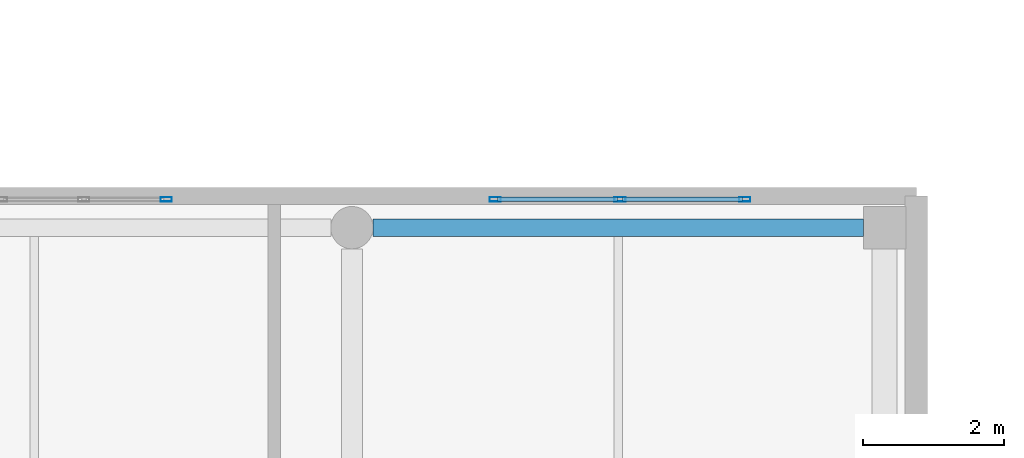
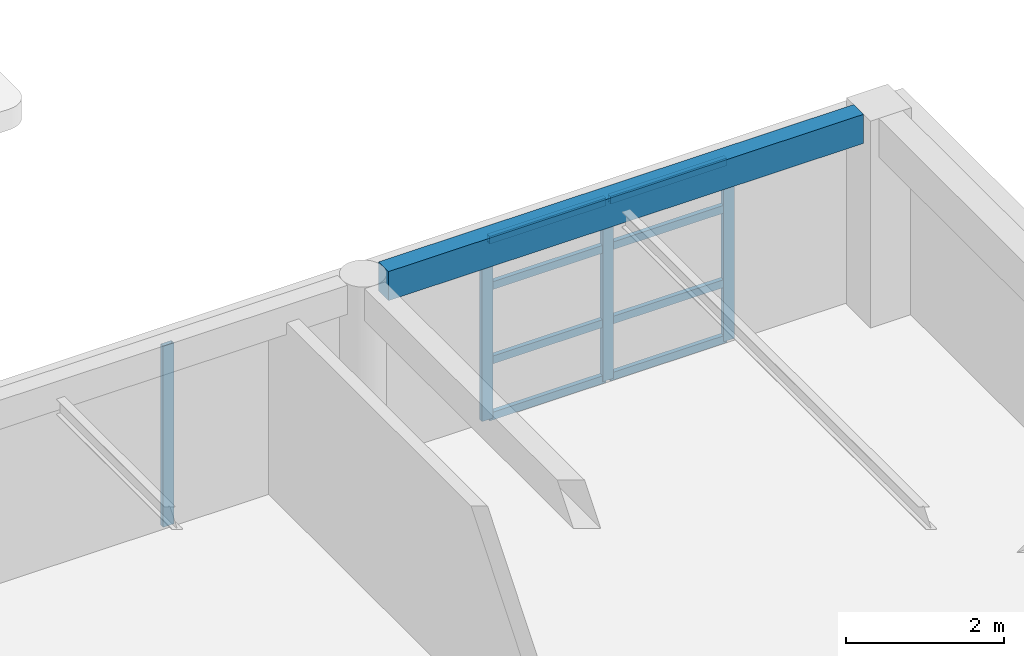
# One storey, part 63 of 128: 12 members, 1 beam, 2 elements without a shape of their own.
"""IFC4 building model written with IfcOpenShell, lengths in metres."""

from ifc_helpers import new_model, si_unit, direction, frame, origin, origin_2d, place, context, subcontext, project, spatial, rectangle, hollow_rectangle, extrude, material, layer, layer_set, material_profile, profile_set, type_object, element, aggregate, save


model = new_model("IFC4")

# Units and contexts
model_context = context("Model", 3, precision=1e-05, world=origin(), true_north=direction((0.0, 1.0)))
body_context = subcontext(model_context, "Body", "Model", "MODEL_VIEW")
ifc_project = project(units=[si_unit("LENGTHUNIT", "METRE"), si_unit("AREAUNIT", "SQUARE_METRE"), si_unit("VOLUMEUNIT", "CUBIC_METRE"), si_unit("PLANEANGLEUNIT", "RADIAN"), si_unit("MASSUNIT", "GRAM", prefix="KILO")], contexts=[model_context])

# Site, building, storey
site_placement = place(None, origin())
site = spatial("IfcSite", under=ifc_project, at=site_placement, CompositionType="ELEMENT")
building_placement = place(site_placement, origin())
building = spatial("IfcBuilding", under=site, at=building_placement, Name="Keldmere Railside Commons", CompositionType="ELEMENT")
storey_placement = place(building_placement, frame((0.0, 0.0, 4.159912109375)))
storey = spatial("IfcBuildingStorey", under=building, at=storey_placement, Name="L01", CompositionType="ELEMENT", Elevation=4.159912109375)

# Beam
ifc_material_1 = material(Name="Architectural Precast Concrete H-35 (C35/45)", Category="concrete")
ifc_material_profile_1 = material_profile(ifc_material_1, rectangle(XDim=0.25, YDim=0.449951171875, at=origin_2d()), Name="RC-250x450")
ifc_profile_set_1 = profile_set([ifc_material_profile_1], Name="Architectural Precast Concrete H-35 (C35/45)")
beam_type = type_object("IfcBeamType", Name="Perimeter Precast Spandrel Beam 250x450", PredefinedType="SPANDREL", material=ifc_profile_set_1)
beam_placement = place(storey_placement, frame((168.300048828125, 39.550048828125, 2.97509765625), z_axis=(1.0, 0.0, 0.0), x_axis=(0.0, 1.0, 0.0)))
element("IfcBeam", 1, at=beam_placement, inside=storey, type_object=beam_type, Name="SPB-1 BM-L01-0778", PredefinedType="SPANDREL", context=body_context, shape_type="SweptSolid", body=[
    extrude(rectangle(XDim=0.25, YDim=0.449951171875, at=origin_2d()), origin(), (0.0, 0.0, 1.0), 6.949951171875),
])

# Curtain wall, member
ifc_material_2 = material(Name="Thermally Broken Aluminium", Category="aluminium")
ifc_layer_1 = layer(ifc_material_2, 0.159912109375, Name="Stair Tower Daylit Strip CW 2400x2850")
ifc_layer_set_1 = layer_set([ifc_layer_1], Name="Thermally Broken Aluminium")
curtain_wall_type_1 = type_object("IfcCurtainWallType", Name="Stair Tower Daylit Strip CW 2400x2850", PredefinedType="NOTDEFINED", material=ifc_layer_set_1)
curtain_wall_1_placement = place(storey_placement, origin())
curtain_wall_1 = element("IfcCurtainWall", 2, at=curtain_wall_1_placement, inside=storey, type_object=curtain_wall_type_1, Name="CW-18 CW-L01-222", PredefinedType="NOTDEFINED")
ifc_material_profile_2 = material_profile(ifc_material_2, hollow_rectangle(XDim=0.06494140625, YDim=0.159912109375, WallThickness=0.00390625, at=origin_2d()), Name="ALU-MULL-65x160")
ifc_profile_set_2 = profile_set([ifc_material_profile_2], Name="Thermally Broken Aluminium")
member_type_1 = type_object("IfcMemberType", Name="Unitised Curtain Wall Mullion 65x160", PredefinedType="MULLION", material=ifc_profile_set_2)
member_1_placement = place(storey_placement, frame((165.367431640625, 39.949951171875, 0.0), z_axis=(0.0, 0.0, 1.0), x_axis=(0.0, 1.0, 0.0)))
member_1 = element("IfcMember", 3, at=member_1_placement, type_object=member_type_1, Name="CW-18 mullion 3", PredefinedType="MULLION", context=body_context, shape_type="SweptSolid", body=[
    extrude(hollow_rectangle(XDim=0.06494140625, YDim=0.159912109375, WallThickness=0.00390625, at=origin_2d()), origin(), (0.0, 0.0, 1.0), 2.800048828125),
])
aggregate(curtain_wall_1, [member_1])

# Curtain wall, members
ifc_layer_2 = layer(ifc_material_2, 0.159912109375, Name="Market Arcade Upper Gallery CW 3600x2800")
ifc_layer_set_2 = layer_set([ifc_layer_2], Name="Thermally Broken Aluminium")
curtain_wall_type_2 = type_object("IfcCurtainWallType", Name="Market Arcade Upper Gallery CW 3600x2800", PredefinedType="NOTDEFINED", material=ifc_layer_set_2)
curtain_wall_2_placement = place(storey_placement, origin())
curtain_wall_2 = element("IfcCurtainWall", 4, at=curtain_wall_2_placement, inside=storey, type_object=curtain_wall_type_2, Name="CW-03 CW-L01-223", PredefinedType="NOTDEFINED")
member_2_placement = place(storey_placement, frame((170.032470703125, 39.949951171875, 0.0), z_axis=(0.0, 0.0, 1.0), x_axis=(0.0, 1.0, 0.0)))
member_2 = element("IfcMember", 5, at=member_2_placement, type_object=member_type_1, Name="CW-03 mullion 1", PredefinedType="MULLION", context=body_context, shape_type="SweptSolid", body=[
    extrude(hollow_rectangle(XDim=0.06494140625, YDim=0.159912109375, WallThickness=0.00390625, at=origin_2d()), origin(), (0.0, 0.0, 1.0), 2.800048828125),
])
member_3_placement = place(storey_placement, frame((171.800048828125, 39.949951171875, 0.0), z_axis=(0.0, 0.0, 1.0), x_axis=(0.0, 1.0, 0.0)))
member_3 = element("IfcMember", 6, at=member_3_placement, type_object=member_type_1, Name="CW-03 mullion 2", PredefinedType="MULLION", context=body_context, shape_type="SweptSolid", body=[
    extrude(hollow_rectangle(XDim=0.06494140625, YDim=0.159912109375, WallThickness=0.00390625, at=origin_2d()), origin(), (0.0, 0.0, 1.0), 2.800048828125),
])
member_4_placement = place(storey_placement, frame((173.5673828125, 39.949951171875, 0.0), z_axis=(0.0, 0.0, 1.0), x_axis=(0.0, 1.0, 0.0)))
member_4 = element("IfcMember", 7, at=member_4_placement, type_object=member_type_1, Name="CW-03 mullion 3", PredefinedType="MULLION", context=body_context, shape_type="SweptSolid", body=[
    extrude(hollow_rectangle(XDim=0.06494140625, YDim=0.159912109375, WallThickness=0.00390625, at=origin_2d()), origin(), (0.0, 0.0, 1.0), 2.800048828125),
])
ifc_material_profile_3 = material_profile(ifc_material_2, hollow_rectangle(XDim=0.06494140625, YDim=0.1201171875, WallThickness=0.00390625, at=origin_2d()), Name="ALU-TRAN-65x120")
ifc_profile_set_3 = profile_set([ifc_material_profile_3], Name="Thermally Broken Aluminium")
member_type_2 = type_object("IfcMemberType", Name="Unitised Curtain Wall Transom 65x120", PredefinedType="USERDEFINED", material=ifc_profile_set_3)
member_5_placement = place(storey_placement, frame((170.06494140625, 39.949951171875, 0.032470703125), z_axis=(1.0, 0.0, 0.0), x_axis=(0.0, 1.0, 0.0)))
member_5 = element("IfcMember", 8, at=member_5_placement, type_object=member_type_2, Name="CW-03 transom 1.1", ObjectType="TRANSOM", PredefinedType="USERDEFINED", context=body_context, shape_type="SweptSolid", body=[
    extrude(hollow_rectangle(XDim=0.06494140625, YDim=0.1201171875, WallThickness=0.00390625, at=origin_2d()), origin(), (0.0, 0.0, 1.0), 1.70263671875),
])
member_6_placement = place(storey_placement, frame((170.06494140625, 39.949951171875, 0.900146484375), z_axis=(1.0, 0.0, 0.0), x_axis=(0.0, 1.0, 0.0)))
member_6 = element("IfcMember", 9, at=member_6_placement, type_object=member_type_2, Name="CW-03 transom 1.2", ObjectType="TRANSOM", PredefinedType="USERDEFINED", context=body_context, shape_type="SweptSolid", body=[
    extrude(hollow_rectangle(XDim=0.06494140625, YDim=0.1201171875, WallThickness=0.00390625, at=origin_2d()), origin(), (0.0, 0.0, 1.0), 1.70263671875),
])
member_7_placement = place(storey_placement, frame((170.06494140625, 39.949951171875, 2.050048828125), z_axis=(1.0, 0.0, 0.0), x_axis=(0.0, 1.0, 0.0)))
member_7 = element("IfcMember", 10, at=member_7_placement, type_object=member_type_2, Name="CW-03 transom 1.3", ObjectType="TRANSOM", PredefinedType="USERDEFINED", context=body_context, shape_type="SweptSolid", body=[
    extrude(hollow_rectangle(XDim=0.06494140625, YDim=0.1201171875, WallThickness=0.00390625, at=origin_2d()), origin(), (0.0, 0.0, 1.0), 1.70263671875),
])
member_8_placement = place(storey_placement, frame((170.06494140625, 39.949951171875, 2.767578125), z_axis=(1.0, 0.0, 0.0), x_axis=(0.0, 1.0, 0.0)))
member_8 = element("IfcMember", 11, at=member_8_placement, type_object=member_type_2, Name="CW-03 transom 1.4", ObjectType="TRANSOM", PredefinedType="USERDEFINED", context=body_context, shape_type="SweptSolid", body=[
    extrude(hollow_rectangle(XDim=0.06494140625, YDim=0.1201171875, WallThickness=0.00390625, at=origin_2d()), origin(), (0.0, 0.0, 1.0), 1.70263671875),
])
member_9_placement = place(storey_placement, frame((171.83251953125, 39.949951171875, 0.032470703125), z_axis=(1.0, 0.0, 0.0), x_axis=(0.0, 1.0, 0.0)))
member_9 = element("IfcMember", 12, at=member_9_placement, type_object=member_type_2, Name="CW-03 transom 2.1", ObjectType="TRANSOM", PredefinedType="USERDEFINED", context=body_context, shape_type="SweptSolid", body=[
    extrude(hollow_rectangle(XDim=0.06494140625, YDim=0.1201171875, WallThickness=0.00390625, at=origin_2d()), origin(), (0.0, 0.0, 1.0), 1.702392578125),
])
member_10_placement = place(storey_placement, frame((171.83251953125, 39.949951171875, 0.900146484375), z_axis=(1.0, 0.0, 0.0), x_axis=(0.0, 1.0, 0.0)))
member_10 = element("IfcMember", 13, at=member_10_placement, type_object=member_type_2, Name="CW-03 transom 2.2", ObjectType="TRANSOM", PredefinedType="USERDEFINED", context=body_context, shape_type="SweptSolid", body=[
    extrude(hollow_rectangle(XDim=0.06494140625, YDim=0.1201171875, WallThickness=0.00390625, at=origin_2d()), origin(), (0.0, 0.0, 1.0), 1.702392578125),
])
member_11_placement = place(storey_placement, frame((171.83251953125, 39.949951171875, 2.050048828125), z_axis=(1.0, 0.0, 0.0), x_axis=(0.0, 1.0, 0.0)))
member_11 = element("IfcMember", 14, at=member_11_placement, type_object=member_type_2, Name="CW-03 transom 2.3", ObjectType="TRANSOM", PredefinedType="USERDEFINED", context=body_context, shape_type="SweptSolid", body=[
    extrude(hollow_rectangle(XDim=0.06494140625, YDim=0.1201171875, WallThickness=0.00390625, at=origin_2d()), origin(), (0.0, 0.0, 1.0), 1.702392578125),
])
member_12_placement = place(storey_placement, frame((171.83251953125, 39.949951171875, 2.767578125), z_axis=(1.0, 0.0, 0.0), x_axis=(0.0, 1.0, 0.0)))
member_12 = element("IfcMember", 15, at=member_12_placement, type_object=member_type_2, Name="CW-03 transom 2.4", ObjectType="TRANSOM", PredefinedType="USERDEFINED", context=body_context, shape_type="SweptSolid", body=[
    extrude(hollow_rectangle(XDim=0.06494140625, YDim=0.1201171875, WallThickness=0.00390625, at=origin_2d()), origin(), (0.0, 0.0, 1.0), 1.702392578125),
])
aggregate(curtain_wall_2, [member_2, member_3, member_4, member_5, member_6, member_7, member_8, member_9, member_10, member_11, member_12])

save(model, "model.ifc")
